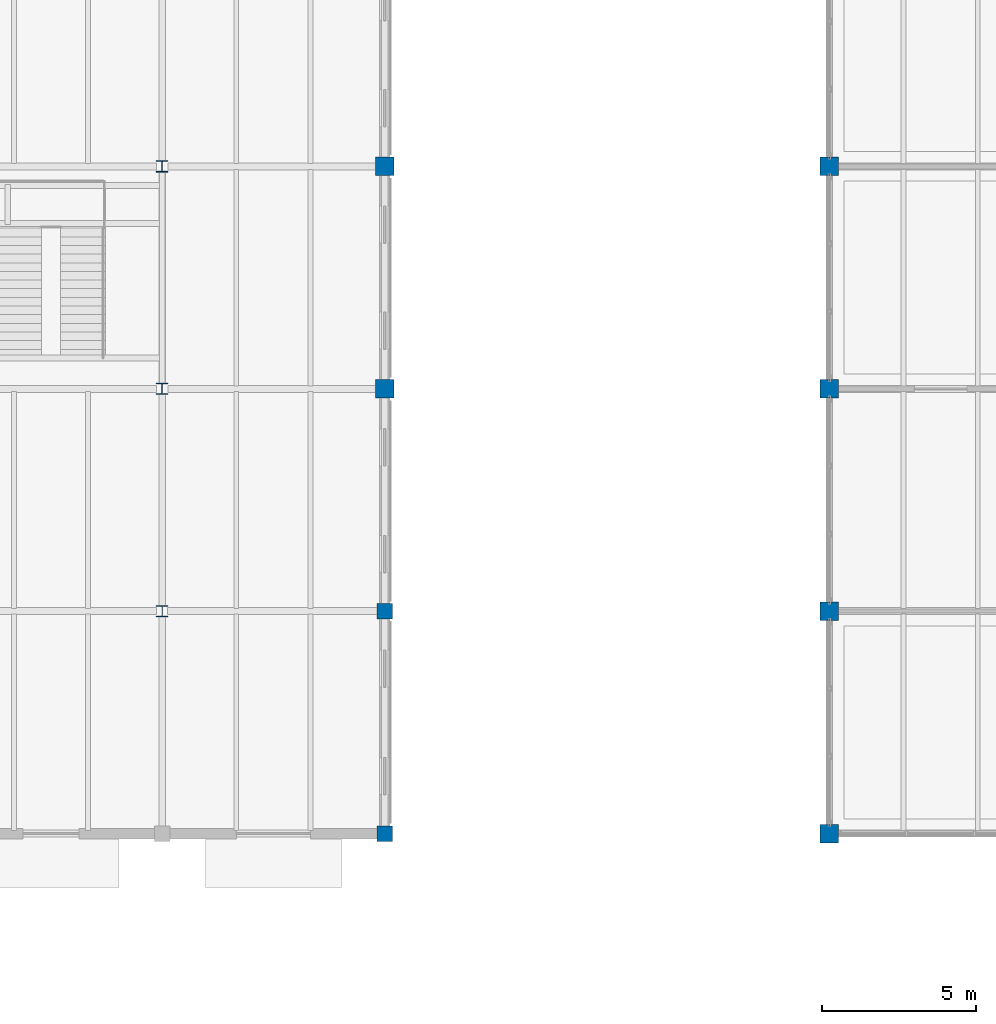
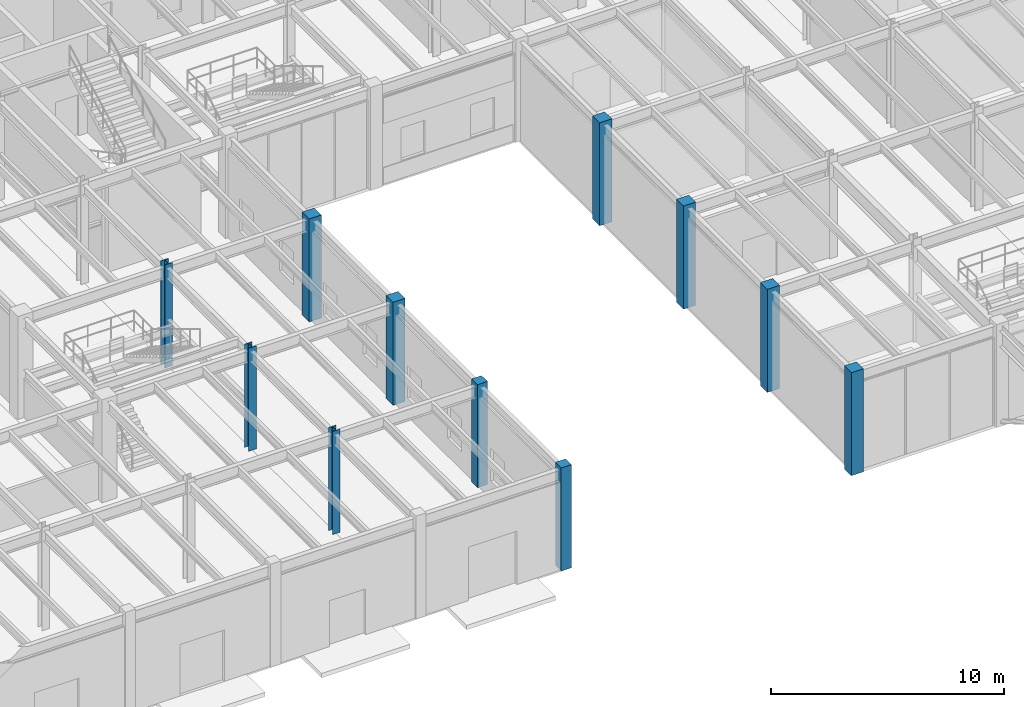
# One storey, part 2 of 97: 11 columns.
"""IFC4 building model written with IfcOpenShell, lengths in metres."""

from ifc_helpers import new_model, si_unit, direction, frame, origin, origin_2d, place, context, subcontext, project, spatial, rectangle, i_section, extrude, material, material_profile, profile_set, type_object, element, save


model = new_model("IFC4")

# Units and contexts
model_context = context("Model", 3, precision=1e-05, world=origin(), true_north=direction((0.0, 1.0)))
body_context = subcontext(model_context, "Body", "Model", "MODEL_VIEW")
ifc_project = project(units=[si_unit("LENGTHUNIT", "METRE"), si_unit("AREAUNIT", "SQUARE_METRE"), si_unit("VOLUMEUNIT", "CUBIC_METRE"), si_unit("PLANEANGLEUNIT", "RADIAN"), si_unit("MASSUNIT", "GRAM", prefix="KILO")], contexts=[model_context])

# Site, building, storey
site_placement = place(None, origin())
site = spatial("IfcSite", under=ifc_project, at=site_placement, CompositionType="ELEMENT")
building_placement = place(site_placement, origin())
building = spatial("IfcBuilding", under=site, at=building_placement, Name="Sillqori Civic Hall", CompositionType="ELEMENT")
storey_placement = place(building_placement, origin())
storey = spatial("IfcBuildingStorey", under=building, at=storey_placement, Name="L01", CompositionType="ELEMENT", Elevation=0.0)

# Columns
ifc_material_1 = material(Name="Concrete C35/45 (H35)", Category="concrete")
ifc_material_profile_1 = material_profile(ifc_material_1, rectangle(XDim=0.5, YDim=0.5, at=origin_2d()), Name="RC 500x500")
ifc_profile_set_1 = profile_set([ifc_material_profile_1], Name="Concrete C35/45 (H35)")
column_type_1 = type_object("IfcColumnType", Name="COL-RC500", PredefinedType="COLUMN", material=ifc_profile_set_1)
for number, where, z_axis, x_axis, name in (
    (1, (50.39990234375, 7.199951171875, 0.0), (0.0, 0.0, 1.0), (1.0, 0.0, 0.0), "L01 column 7-1"),
    (2, (50.39990234375, 14.39990234375, 0.0), (0.0, 0.0, 1.0), (1.0, 0.0, 0.0), "L01 column 7-2"),
):
    element("IfcColumn", number, at=place(storey_placement, frame(where, z_axis=z_axis, x_axis=x_axis)), inside=storey, type_object=column_type_1, Name=name, PredefinedType="COLUMN", context=body_context, shape_type="SweptSolid", body=[
        extrude(rectangle(XDim=0.5, YDim=0.5, at=origin_2d()), origin(), (0.0, 0.0, 1.0), 5.39990234375),
    ])
ifc_material_profile_2 = material_profile(ifc_material_1, rectangle(XDim=0.60009765625, YDim=0.60009765625, at=origin_2d()), Name="RC 600x600")
ifc_profile_set_2 = profile_set([ifc_material_profile_2], Name="Concrete C35/45 (H35)")
column_type_2 = type_object("IfcColumnType", Name="COL-RC600", PredefinedType="COLUMN", material=ifc_profile_set_2)
for number, where, z_axis, x_axis, name in (
    (3, (50.39990234375, 21.60009765625, 0.0), (0.0, 0.0, 1.0), (1.0, 0.0, 0.0), "L01 column 7-3"),
    (4, (50.39990234375, 28.800048828125, 0.0), (0.0, 0.0, 1.0), (1.0, 0.0, 0.0), "L01 column 7-4"),
    (5, (64.800048828125, 7.199951171875, 0.0), (0.0, 0.0, 1.0), (1.0, 0.0, 0.0), "L01 column 9-1"),
    (6, (64.800048828125, 14.39990234375, 0.0), (0.0, 0.0, 1.0), (1.0, 0.0, 0.0), "L01 column 9-2"),
    (7, (64.800048828125, 21.60009765625, 0.0), (0.0, 0.0, 1.0), (1.0, 0.0, 0.0), "L01 column 9-3"),
    (8, (64.800048828125, 28.800048828125, 0.0), (0.0, 0.0, 1.0), (1.0, 0.0, 0.0), "L01 column 9-4"),
):
    element("IfcColumn", number, at=place(storey_placement, frame(where, z_axis=z_axis, x_axis=x_axis)), inside=storey, type_object=column_type_2, Name=name, PredefinedType="COLUMN", context=body_context, shape_type="SweptSolid", body=[
        extrude(rectangle(XDim=0.60009765625, YDim=0.60009765625, at=origin_2d()), origin(), (0.0, 0.0, 1.0), 5.39990234375),
    ])
ifc_material_2 = material(Name="Steel ASTM A992", Category="steel")
ifc_material_profile_3 = material_profile(ifc_material_2, i_section(OverallWidth=0.373046875, OverallDepth=0.367919921875, WebThickness=0.014892578125, FlangeThickness=0.02392578125, FilletRadius=0.014892578125, at=origin_2d()), Name="W14X120")
ifc_profile_set_3 = profile_set([ifc_material_profile_3], Name="Steel ASTM A992")
column_type_3 = type_object("IfcColumnType", Name="COL-W14X120", PredefinedType="COLUMN", material=ifc_profile_set_3)
for number, where, z_axis, x_axis, name in (
    (9, (43.199951171875, 21.60009765625, 0.0), (0.0, 0.0, 1.0), (1.0, 0.0, 0.0), "L01 column 6-3"),
    (10, (43.199951171875, 28.800048828125, 0.0), (0.0, 0.0, 1.0), (1.0, 0.0, 0.0), "L01 column 6-4"),
):
    element("IfcColumn", number, at=place(storey_placement, frame(where, z_axis=z_axis, x_axis=x_axis)), inside=storey, type_object=column_type_3, Name=name, PredefinedType="COLUMN", context=body_context, shape_type="SweptSolid", body=[
        extrude(i_section(OverallWidth=0.373046875, OverallDepth=0.367919921875, WebThickness=0.014892578125, FlangeThickness=0.02392578125, FilletRadius=0.014892578125, at=origin_2d()), origin(), (0.0, 0.0, 1.0), 5.39990234375),
    ])
ifc_material_profile_4 = material_profile(ifc_material_2, i_section(OverallWidth=0.37109375, OverallDepth=0.361083984375, WebThickness=0.012451171875, FlangeThickness=0.019775390625, FilletRadius=0.014892578125, at=origin_2d()), Name="W14X99")
ifc_profile_set_4 = profile_set([ifc_material_profile_4], Name="Steel ASTM A992")
column_type_4 = type_object("IfcColumnType", Name="COL-W14X99", PredefinedType="COLUMN", material=ifc_profile_set_4)
column_placement = place(storey_placement, frame((43.199951171875, 14.39990234375, 0.0), z_axis=(0.0, 0.0, 1.0), x_axis=(1.0, 0.0, 0.0)))
element("IfcColumn", 11, at=column_placement, inside=storey, type_object=column_type_4, Name="L01 column 6-2", PredefinedType="COLUMN", context=body_context, shape_type="SweptSolid", body=[
    extrude(i_section(OverallWidth=0.37109375, OverallDepth=0.361083984375, WebThickness=0.012451171875, FlangeThickness=0.019775390625, FilletRadius=0.014892578125, at=origin_2d()), origin(), (0.0, 0.0, 1.0), 5.39990234375),
])

save(model, "model.ifc")
